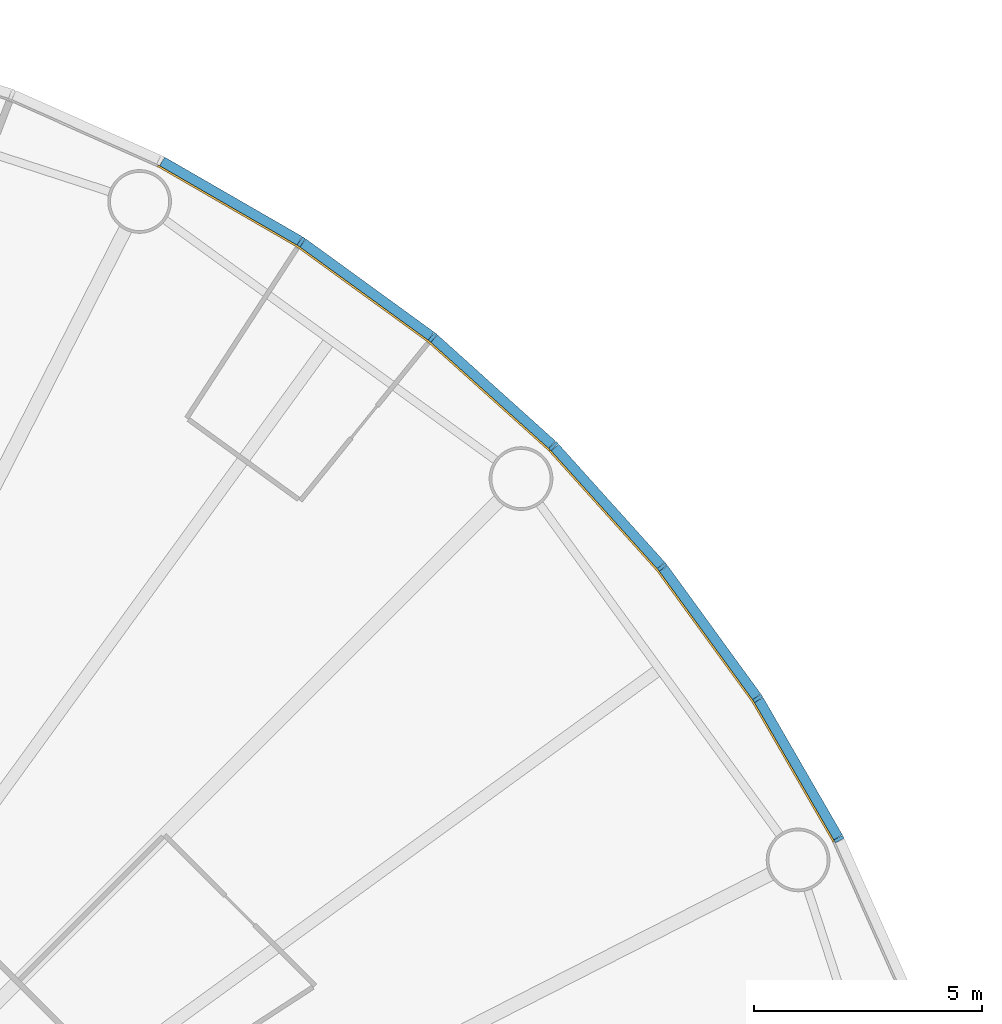
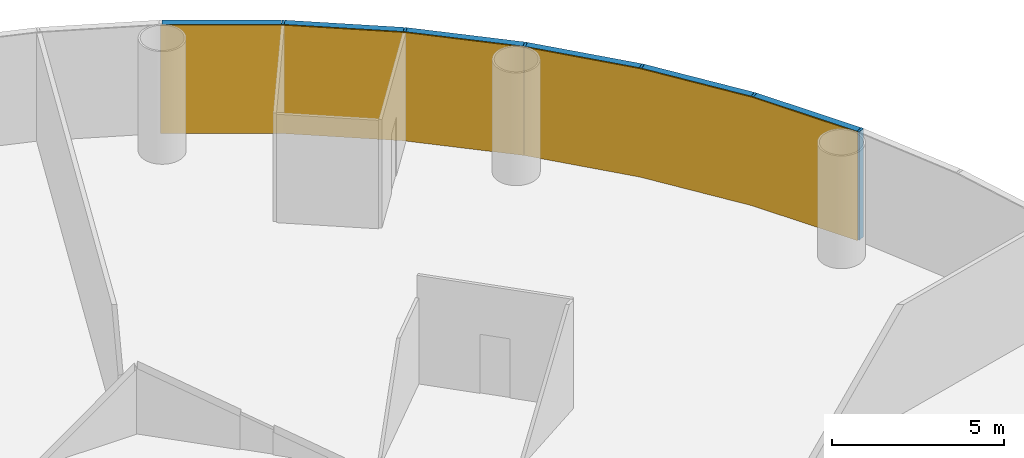
# One storey, part 10 of 13: 12 members, 2 curtain walls.
"""IFC4 building model written with IfcOpenShell, lengths in metres."""

from ifc_helpers import new_model, si_unit, direction, frame, origin, origin_2d, place, context, subcontext, project, spatial, polyline, rectangle, outline, extrude, material, layer, layer_set, material_profile, profile_set, type_object, element, aggregate, save


model = new_model("IFC4")

# Units and contexts
model_context = context("Model", 3, precision=1e-05, world=origin(), true_north=direction((0.0, 1.0)))
body_context = subcontext(model_context, "Body", "Model", "MODEL_VIEW")
ifc_project = project(units=[si_unit("LENGTHUNIT", "METRE"), si_unit("AREAUNIT", "SQUARE_METRE"), si_unit("VOLUMEUNIT", "CUBIC_METRE"), si_unit("PLANEANGLEUNIT", "RADIAN"), si_unit("MASSUNIT", "GRAM", prefix="KILO")], contexts=[model_context])

# Member
ifc_material_1 = material(Name="Anodised aluminium", Category="aluminium")
ifc_material_profile_1 = material_profile(ifc_material_1, rectangle(XDim=0.074951171875, YDim=0.219970703125, at=origin_2d()), Name="Mullion 75 x 220 mm anodised aluminium")
ifc_profile_set_1 = profile_set([ifc_material_profile_1], Name="Anodised aluminium")
member_type_1 = type_object("IfcMemberType", Name="Mullion 75 x 220 mm anodised aluminium", PredefinedType="MULLION", material=ifc_profile_set_1)
site_placement = place(None, origin())
building_placement = place(site_placement, origin())
storey_placement = place(building_placement, frame((0.0, 0.0, 26.0)))
member_1_placement = place(storey_placement, frame((120.392333984375, 95.485595703125, 0.0), z_axis=(0.0, 0.0, 1.0), x_axis=(-0.45399049974, 0.891006524188, 0.0)))
member_1 = element("IfcMember", 1, at=member_1_placement, type_object=member_type_1, Name="MULLION L04-03", PredefinedType="MULLION", context=body_context, shape_type="SweptSolid", body=[
    extrude(rectangle(XDim=0.074951171875, YDim=0.219970703125, at=origin_2d()), origin(), (0.0, 0.0, 1.0), 3.85009765625),
])

member_2_placement = place(storey_placement, frame((118.60693359375, 98.57763671875, 0.0), z_axis=(0.0, 0.0, 1.0), x_axis=(-0.544639035015, 0.838670567945, 0.0)))
member_2 = element("IfcMember", 2, at=member_2_placement, type_object=member_type_1, Name="MULLION L04-04", PredefinedType="MULLION", context=body_context, shape_type="SweptSolid", body=[
    extrude(rectangle(XDim=0.074951171875, YDim=0.219970703125, at=origin_2d()), origin(), (0.0, 0.0, 1.0), 3.85009765625),
])

member_3_placement = place(storey_placement, frame((116.508544921875, 101.466064453125, 0.0), z_axis=(0.0, 0.0, 1.0), x_axis=(-0.62932039105, 0.777145961457, 0.0)))
member_3 = element("IfcMember", 3, at=member_3_placement, type_object=member_type_1, Name="MULLION L04-05", PredefinedType="MULLION", context=body_context, shape_type="SweptSolid", body=[
    extrude(rectangle(XDim=0.074951171875, YDim=0.219970703125, at=origin_2d()), origin(), (0.0, 0.0, 1.0), 3.85009765625),
])

member_4_placement = place(storey_placement, frame((114.119384765625, 104.119384765625, 0.0), z_axis=(0.0, 0.0, 1.0), x_axis=(-0.707106781187, 0.707106781187, 0.0)))
member_4 = element("IfcMember", 4, at=member_4_placement, type_object=member_type_1, Name="MULLION L04-06", PredefinedType="MULLION", context=body_context, shape_type="SweptSolid", body=[
    extrude(rectangle(XDim=0.074951171875, YDim=0.219970703125, at=origin_2d()), origin(), (0.0, 0.0, 1.0), 3.85009765625),
])

member_5_placement = place(storey_placement, frame((111.466064453125, 106.508544921875, 0.0), z_axis=(0.0, 0.0, 1.0), x_axis=(-0.777145961457, 0.62932039105, 0.0)))
member_5 = element("IfcMember", 5, at=member_5_placement, type_object=member_type_1, Name="MULLION L04-07", PredefinedType="MULLION", context=body_context, shape_type="SweptSolid", body=[
    extrude(rectangle(XDim=0.074951171875, YDim=0.219970703125, at=origin_2d()), origin(), (0.0, 0.0, 1.0), 3.85009765625),
])

member_6_placement = place(storey_placement, frame((108.57763671875, 108.60693359375, 0.0), z_axis=(0.0, 0.0, 1.0), x_axis=(-0.838670567945, 0.544639035015, 0.0)))
member_6 = element("IfcMember", 6, at=member_6_placement, type_object=member_type_1, Name="MULLION L04-08", PredefinedType="MULLION", context=body_context, shape_type="SweptSolid", body=[
    extrude(rectangle(XDim=0.074951171875, YDim=0.219970703125, at=origin_2d()), origin(), (0.0, 0.0, 1.0), 3.85009765625),
])

ifc_material_2 = material(Name="Anodised aluminium", Category="aluminium")
ifc_material_profile_2 = material_profile(ifc_material_2, rectangle(XDim=0.219970703125, YDim=0.199951171875, at=origin_2d()), Name="Transom 200 x 220 mm anodised aluminium")
ifc_profile_set_2 = profile_set([ifc_material_profile_2], Name="Anodised aluminium")
member_type_2 = type_object("IfcMemberType", Name="Transom 200 x 220 mm anodised aluminium", PredefinedType="USERDEFINED", material=ifc_profile_set_2)
member_7_placement = place(storey_placement, frame((120.370849609375, 95.523193359375, 3.75), z_axis=(-0.500005538244, 0.866022206254, 0.0), x_axis=(-0.866022206254, -0.500005538244, 0.0)))
member_7 = element("IfcMember", 7, at=member_7_placement, type_object=member_type_2, Name="TRANSOM L04-03", ObjectType="TRANSOM", PredefinedType="USERDEFINED", context=body_context, shape_type="SweptSolid", body=[
    extrude(rectangle(XDim=0.219970703125, YDim=0.199951171875, at=origin_2d()), origin(), (0.0, 0.0, 1.0), 3.48388671875),
])

member_8_placement = place(storey_placement, frame((118.581787109375, 98.61279296875, 3.75), z_axis=(-0.587821627006, 0.80899056535, 0.0), x_axis=(-0.80899056535, -0.587821627006, 0.0)))
member_8 = element("IfcMember", 8, at=member_8_placement, type_object=member_type_2, Name="TRANSOM L04-04", ObjectType="TRANSOM", PredefinedType="USERDEFINED", context=body_context, shape_type="SweptSolid", body=[
    extrude(rectangle(XDim=0.219970703125, YDim=0.199951171875, at=origin_2d()), origin(), (0.0, 0.0, 1.0), 3.48388671875),
])

member_9_placement = place(storey_placement, frame((116.479736328125, 101.498291015625, 3.75), z_axis=(-0.669138930974, 0.743137329876, 0.0), x_axis=(-0.743137329876, -0.669138930974, 0.0)))
member_9 = element("IfcMember", 9, at=member_9_placement, type_object=member_type_2, Name="TRANSOM L04-05", ObjectType="TRANSOM", PredefinedType="USERDEFINED", context=body_context, shape_type="SweptSolid", body=[
    extrude(rectangle(XDim=0.219970703125, YDim=0.199951171875, at=origin_2d()), origin(), (0.0, 0.0, 1.0), 3.484130859375),
])

member_10_placement = place(storey_placement, frame((114.08740234375, 104.1484375, 3.75), z_axis=(-0.743137329876, 0.669138930974, 0.0), x_axis=(-0.669138930974, -0.743137329876, 0.0)))
member_10 = element("IfcMember", 10, at=member_10_placement, type_object=member_type_2, Name="TRANSOM L04-06", ObjectType="TRANSOM", PredefinedType="USERDEFINED", context=body_context, shape_type="SweptSolid", body=[
    extrude(rectangle(XDim=0.219970703125, YDim=0.199951171875, at=origin_2d()), origin(), (0.0, 0.0, 1.0), 3.484130859375),
])

member_11_placement = place(storey_placement, frame((111.43115234375, 106.533935546875, 3.75), z_axis=(-0.80899056535, 0.587821627006, 0.0), x_axis=(-0.587821627006, -0.80899056535, 0.0)))
member_11 = element("IfcMember", 11, at=member_11_placement, type_object=member_type_2, Name="TRANSOM L04-07", ObjectType="TRANSOM", PredefinedType="USERDEFINED", context=body_context, shape_type="SweptSolid", body=[
    extrude(rectangle(XDim=0.219970703125, YDim=0.199951171875, at=origin_2d()), origin(), (0.0, 0.0, 1.0), 3.48388671875),
])

member_12_placement = place(storey_placement, frame((108.540283203125, 108.62890625, 3.75), z_axis=(-0.866022206254, 0.500005538244, 0.0), x_axis=(-0.500005538244, -0.866022206254, 0.0)))
member_12 = element("IfcMember", 12, at=member_12_placement, type_object=member_type_2, Name="TRANSOM L04-08", ObjectType="TRANSOM", PredefinedType="USERDEFINED", context=body_context, shape_type="SweptSolid", body=[
    extrude(rectangle(XDim=0.219970703125, YDim=0.199951171875, at=origin_2d()), origin(), (0.0, 0.0, 1.0), 3.48388671875),
])

# Site, building, storey
site = spatial("IfcSite", under=ifc_project, at=site_placement, CompositionType="ELEMENT")
building = spatial("IfcBuilding", under=site, at=building_placement, Name="Entoto Ring Tower", CompositionType="ELEMENT")
storey = spatial("IfcBuildingStorey", under=building, at=storey_placement, Name="L04", CompositionType="ELEMENT", Elevation=26.0)

# Curtain wall
ifc_material_3 = material(Name="Clear low-iron glass", Category="glass")
ifc_layer = layer(ifc_material_3, 0.0400390625)
ifc_layer_set = layer_set([ifc_layer], Name="Clear low-iron glass")
curtain_wall_type = type_object("IfcCurtainWallType", Name="Curtain wall system CW1 glazing 40 mm", PredefinedType="NOTDEFINED", material=ifc_layer_set)
curtain_wall_1_placement = place(storey_placement, origin())
curtain_wall_1 = element("IfcCurtainWall", 13, at=curtain_wall_1_placement, inside=storey, type_object=curtain_wall_type, Name="CW1 L04-02", PredefinedType="NOTDEFINED", context=body_context, shape_type="SweptSolid", body=[
    extrude(outline(polyline([(120.294189453125, 95.435791015625), (118.514892578125, 98.517822265625), (116.4228515625, 101.39697265625), (114.041748046875, 104.041748046875), (114.013427734375, 104.013427734375), (116.391845703125, 101.37158203125), (118.481201171875, 98.495849609375), (120.258544921875, 95.41748046875), (120.294189453125, 95.435791015625)])), origin(), (0.0, 0.0, 1.0), 3.85009765625),
])

aggregate(curtain_wall_1, [member_1, member_2, member_3, member_7, member_8, member_9])

curtain_wall_2_placement = place(storey_placement, origin())
curtain_wall_2 = element("IfcCurtainWall", 14, at=curtain_wall_2_placement, inside=storey, type_object=curtain_wall_type, Name="CW1 L04-03", PredefinedType="NOTDEFINED", context=body_context, shape_type="SweptSolid", body=[
    extrude(outline(polyline([(114.041748046875, 104.041748046875), (111.39697265625, 106.4228515625), (108.517822265625, 108.514892578125), (105.435791015625, 110.294189453125), (105.41748046875, 110.258544921875), (108.495849609375, 108.481201171875), (111.37158203125, 106.391845703125), (114.013427734375, 104.013427734375), (114.041748046875, 104.041748046875)])), origin(), (0.0, 0.0, 1.0), 3.85009765625),
])

aggregate(curtain_wall_2, [member_4, member_5, member_6, member_10, member_11, member_12])

save(model, "model.ifc")
